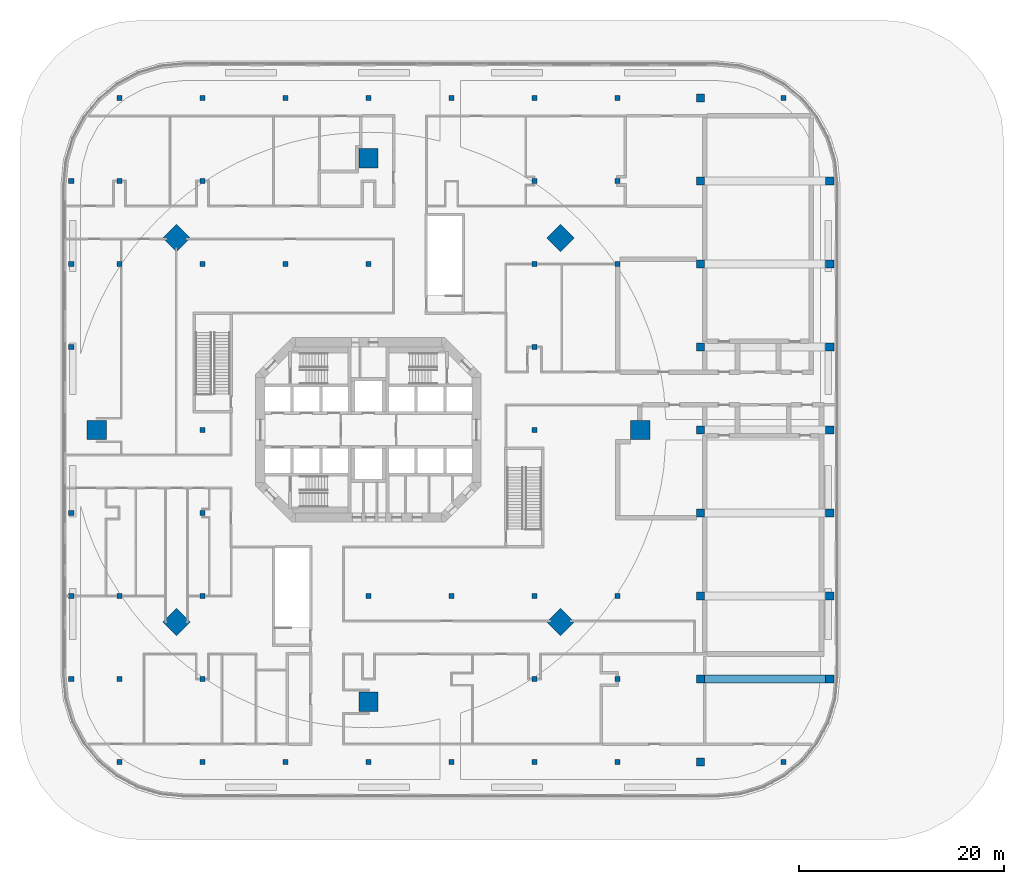
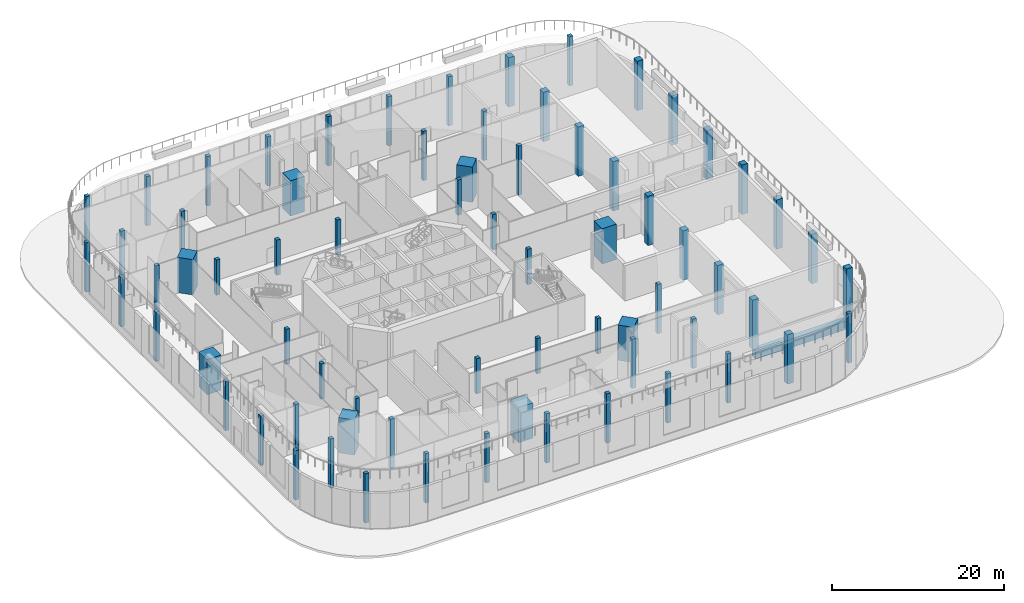
# One storey, part 1 of 17: 70 columns, 1 beam.
"""IFC4 building model written with IfcOpenShell, lengths in metres."""

import ifcopenshell
import ifcopenshell.guid

model = None  # the IFC model being written
_history = None  # IfcOwnerHistory: only IFC2X3 demands one
_inside = {}  # id of a spatial element -> (the spatial element, [elements in it])
_under = {}  # id of a project, library or spatial element -> (it, [spatial elements below it])
_declared = {}  # id of a project -> (the project, [libraries it declares])
_typed = {}  # id of a type object -> (the type object, [elements of that type])
_made_of = {}  # id of a material, layer set ... -> (it, [elements and type objects made of it])


def new_model(schema):
    """Start an empty IFC model of exactly this schema.

    Asked for "IFC4X3", IfcOpenShell would pick the latest addendum, in which some entities
    have other attributes; the version numbers below select the first issue.
    IFC2X3 requires an IfcOwnerHistory on every rooted entity: one is made here for all.
    """
    global model, _history
    if schema == "IFC4X3":
        model = ifcopenshell.file(schema_version=(4, 3, 0, 0))
    else:
        model = ifcopenshell.file(schema=schema)
    _inside.clear()
    _under.clear()
    _declared.clear()
    _typed.clear()
    _made_of.clear()
    _history = None
    if model.schema == "IFC2X3":
        org = make("IfcOrganization", Name="unknown")
        user = make(
            "IfcPersonAndOrganization",
            ThePerson=make("IfcPerson", FamilyName="unknown"),
            TheOrganization=org,
        )
        app = make(
            "IfcApplication",
            ApplicationDeveloper=org,
            Version="unknown",
            ApplicationFullName="unknown",
            ApplicationIdentifier="unknown",
        )
        _history = make(
            "IfcOwnerHistory",
            OwningUser=user,
            OwningApplication=app,
            ChangeAction="ADDED",
            CreationDate=0,
        )
    return model


def make(cls, **values):
    """One entity of the class cls with the attributes given. An attribute that is None is left unset."""
    return model.create_entity(
        cls, **{name: value for name, value in values.items() if value is not None}
    )


def rooted(cls, **values):
    """An entity with a GlobalId (a new one), such as an element, a storey or a relation."""
    return make(cls, GlobalId=ifcopenshell.guid.new(), OwnerHistory=_history, **values)


def si_unit(unit_type, name, prefix=None):
    """IfcSIUnit, for example si_unit("LENGTHUNIT", "METRE", prefix="MILLI")."""
    return make("IfcSIUnit", UnitType=unit_type, Prefix=prefix, Name=name)


def assignment(units):
    """IfcUnitAssignment: the units of a project."""
    return None if units is None else make("IfcUnitAssignment", Units=units)


def point(xyz):
    """IfcCartesianPoint."""
    return None if xyz is None else make("IfcCartesianPoint", Coordinates=xyz)


def direction(xyz):
    """IfcDirection."""
    return None if xyz is None else make("IfcDirection", DirectionRatios=xyz)


def frame(location, z_axis=None, x_axis=None):
    """IfcAxis2Placement3D, a coordinate frame: its origin and axes. An axis left out is left unset."""
    return make(
        "IfcAxis2Placement3D",
        Location=point(location),
        Axis=direction(z_axis),
        RefDirection=direction(x_axis),
    )


def frame_2d(location, x_axis=None):
    """IfcAxis2Placement2D, a coordinate frame in the plane: its origin and x axis."""
    return make(
        "IfcAxis2Placement2D", Location=point(location), RefDirection=direction(x_axis)
    )


def origin():
    """The frame at (0, 0, 0) with its axes left unset."""
    return frame((0.0, 0.0, 0.0))


def origin_2d():
    """The frame at (0, 0) in the plane with its x axis left unset."""
    return frame_2d((0.0, 0.0))


def place(relative_to, where):
    """IfcLocalPlacement: puts the frame where relative to a parent placement (None: the world)."""
    return make(
        "IfcLocalPlacement", PlacementRelTo=relative_to, RelativePlacement=where
    )


def context(
    kind, dimensions, precision=None, world=None, true_north=None, identifier=None
):
    """IfcGeometricRepresentationContext, for example the 3D "Model" context."""
    return make(
        "IfcGeometricRepresentationContext",
        ContextIdentifier=identifier,
        ContextType=kind,
        CoordinateSpaceDimension=dimensions,
        Precision=precision,
        WorldCoordinateSystem=world,
        TrueNorth=true_north,
    )


def subcontext(parent, identifier, kind, view, scale=None):
    """IfcGeometricRepresentationSubContext, for example "Body" below "Model"."""
    return make(
        "IfcGeometricRepresentationSubContext",
        ContextIdentifier=identifier,
        ContextType=kind,
        ParentContext=parent,
        TargetScale=scale,
        TargetView=view,
    )


def project(units=None, contexts=None):
    """IfcProject with its units and contexts."""
    return rooted(
        "IfcProject",
        Name="project",
        RepresentationContexts=contexts,
        UnitsInContext=assignment(units),
    )


def spatial(cls, under=None, at=None, **own):
    """A site, building, storey or space (cls), placed at a placement, below another one or the project."""
    s = rooted(cls, ObjectPlacement=at, **own)
    if under is not None:
        _under.setdefault(under.id(), (under, []))[1].append(s)
    return s


def profile(cls, at=None, kind="AREA", **sizes):
    """A parametric profile (cls). Its sizes go by their IFC names, for example OverallWidth=200.0."""
    return make(cls, ProfileType=kind, Position=at, **sizes)


def rectangle(**sizes):
    """IfcRectangleProfileDef."""
    return profile("IfcRectangleProfileDef", **sizes)


def extrude(swept, where, along, depth):
    """IfcExtrudedAreaSolid: the profile swept, set in the frame where, extruded along a direction by depth."""
    return make(
        "IfcExtrudedAreaSolid",
        SweptArea=swept,
        Position=where,
        ExtrudedDirection=direction(along),
        Depth=depth,
    )


def shape(context_of_items, identifier, shape_type, items):
    """IfcShapeRepresentation: the items that make up one representation, for example the "Body"."""
    return make(
        "IfcShapeRepresentation",
        ContextOfItems=context_of_items,
        RepresentationIdentifier=identifier,
        RepresentationType=shape_type,
        Items=items,
    )


def material(Name=None, Category=None):
    """IfcMaterial."""
    return make("IfcMaterial", Name=Name, Category=Category)


def material_profile(
    of_material, cross_section, Name=None, Category=None, Priority=None
):
    """IfcMaterialProfile: a cross section and its material."""
    return make(
        "IfcMaterialProfile",
        Name=Name,
        Material=of_material,
        Profile=cross_section,
        Priority=Priority,
        Category=Category,
    )


def profile_set(profiles, Name=None, composite=None):
    """IfcMaterialProfileSet."""
    return make(
        "IfcMaterialProfileSet",
        Name=Name,
        MaterialProfiles=profiles,
        CompositeProfile=composite,
    )


def made_of(thing, what):
    """Note that an element or type object is made of a material, layer set ...; save() writes the relation."""
    if what is not None:
        _made_of.setdefault(what.id(), (what, []))[1].append(thing)
    return thing


def type_object(cls, material=None, **own):
    """A type object (cls), such as IfcWallType, which elements share."""
    return made_of(rooted(cls, **own), material)


def element(
    cls,
    number,
    at=None,
    inside=None,
    cuts=None,
    type_object=None,
    material=None,
    context=None,
    identifier="Body",
    shape_type=None,
    held_by="IfcProductDefinitionShape",
    body=None,
    shapes=None,
    **own,
):
    """One element of the class cls, such as IfcWall. Its Tag is "e" and its number.

    at: its placement. inside: the storey or other place that contains it. cuts: it is an
    opening in that element (IfcRelVoidsElement). A single representation is given by context,
    identifier, shape_type and body (its items); several are given by shapes. held_by: the class
    of the entity that holds the representations. save() writes the other relations.
    """
    e = rooted(cls, Tag="e%d" % number, ObjectPlacement=at, **own)
    if body is not None:
        shapes = [shape(context, identifier, shape_type, body)]
    if shapes is not None:
        e.Representation = make(held_by, Representations=shapes)
    if inside is not None:
        _inside.setdefault(inside.id(), (inside, []))[1].append(e)
    if cuts is not None:
        rooted(
            "IfcRelVoidsElement", RelatingBuildingElement=cuts, RelatedOpeningElement=e
        )
    if type_object is not None:
        _typed.setdefault(type_object.id(), (type_object, []))[1].append(e)
    return made_of(e, material)


def aggregate(whole, parts):
    """IfcRelAggregates: a whole, such as a stair, and the parts it consists of."""
    return rooted("IfcRelAggregates", RelatingObject=whole, RelatedObjects=parts)


def save(model, path):
    """Write the relations noted so far, then the file.

    IfcRelAggregates (storeys below a building ...), IfcRelContainedInSpatialStructure (elements
    in a storey), IfcRelDefinesByType, IfcRelAssociatesMaterial and IfcRelDeclares: one each for
    every whole, place, type object, material and project.
    """
    for whole, parts in _under.values():
        aggregate(whole, parts)
    for where, things in _inside.values():
        rooted(
            "IfcRelContainedInSpatialStructure",
            RelatedElements=things,
            RelatingStructure=where,
        )
    for kind, things in _typed.values():
        rooted("IfcRelDefinesByType", RelatedObjects=things, RelatingType=kind)
    for what, things in _made_of.values():
        rooted("IfcRelAssociatesMaterial", RelatedObjects=things, RelatingMaterial=what)
    for by, libraries in _declared.values():
        rooted("IfcRelDeclares", RelatingContext=by, RelatedDefinitions=libraries)
    model.write(path)


model = new_model("IFC4")

# Units and contexts
model_context = context("Model", 3, precision=1e-05, world=origin(), true_north=direction((0.0, 1.0)))
body_context = subcontext(model_context, "Body", "Model", "MODEL_VIEW")
ifc_project = project(units=[si_unit("LENGTHUNIT", "METRE"), si_unit("AREAUNIT", "SQUARE_METRE"), si_unit("VOLUMEUNIT", "CUBIC_METRE"), si_unit("PLANEANGLEUNIT", "RADIAN"), si_unit("MASSUNIT", "GRAM", prefix="KILO")], contexts=[model_context])

# Site, building, storey
site_placement = place(None, origin())
site = spatial("IfcSite", under=ifc_project, at=site_placement, CompositionType="ELEMENT")
building_placement = place(site_placement, origin())
building = spatial("IfcBuilding", under=site, at=building_placement, Name="Torre Triforio", CompositionType="ELEMENT")
storey_placement = place(building_placement, frame((0.0, 0.0, 13.0)))
storey = spatial("IfcBuildingStorey", under=building, at=storey_placement, Name="L02", CompositionType="ELEMENT", Elevation=13.0)

# Columns
ifc_material_1 = material(Name="Concrete C50", Category="concrete")
ifc_material_profile_1 = material_profile(ifc_material_1, rectangle(XDim=0.5, YDim=0.5, at=origin_2d()), Name="RC 500x500")
ifc_profile_set_1 = profile_set([ifc_material_profile_1], Name="Concrete C50")
column_type_1 = type_object("IfcColumnType", Name="Column RC 500x500 C50", PredefinedType="COLUMN", material=ifc_profile_set_1)
for number, where, z_axis, x_axis, name in (
    (1, (-24.300048828125, -32.39990234375, 0.0), (0.0, 0.0, 1.0), (1.0, 0.0, 0.0), "COL.G.L02.3-D"),
    (2, (-24.300048828125, -24.300048828125, 0.0), (0.0, 0.0, 1.0), (1.0, 0.0, 0.0), "COL.G.L02.3-E"),
    (3, (-24.300048828125, -16.199951171875, 0.0), (0.0, 0.0, 1.0), (1.0, 0.0, 0.0), "COL.G.L02.3-F"),
    (4, (-24.300048828125, 16.199951171875, 0.0), (0.0, 0.0, 1.0), (1.0, 0.0, 0.0), "COL.G.L02.3-J"),
    (5, (-24.300048828125, 24.300048828125, 0.0), (0.0, 0.0, 1.0), (1.0, 0.0, 0.0), "COL.G.L02.3-K"),
    (6, (-24.300048828125, 32.39990234375, 0.0), (0.0, 0.0, 1.0), (1.0, 0.0, 0.0), "COL.G.L02.3-L"),
    (7, (-16.199951171875, -32.39990234375, 0.0), (0.0, 0.0, 1.0), (1.0, 0.0, 0.0), "COL.G.L02.4-D"),
    (8, (-16.199951171875, -24.300048828125, 0.0), (0.0, 0.0, 1.0), (1.0, 0.0, 0.0), "COL.G.L02.4-E"),
):
    element("IfcColumn", number, at=place(storey_placement, frame(where, z_axis=z_axis, x_axis=x_axis)), inside=storey, type_object=column_type_1, Name=name, PredefinedType="COLUMN", context=body_context, shape_type="SweptSolid", body=[
        extrude(rectangle(XDim=0.5, YDim=0.5, at=origin_2d()), origin(), (0.0, 0.0, 1.0), 7.0),
    ])
for number, where, z_axis, x_axis, name in (
    (9, (-16.199951171875, -16.199951171875, 0.0), (0.0, 0.0, 1.0), (1.0, 0.0, 0.0), "COL.G.L02.4-F"),
    (10, (-16.199951171875, -8.10009765625, 0.0), (0.0, 0.0, 1.0), (1.0, 0.0, 0.0), "COL.G.L02.4-G"),
    (11, (-16.199951171875, 0.0, 0.0), (0.0, 0.0, 1.0), (1.0, 0.0, 0.0), "COL.G.L02.4-H"),
    (12, (-16.199951171875, 16.199951171875, 0.0), (0.0, 0.0, 1.0), (1.0, 0.0, 0.0), "COL.G.L02.4-J"),
):
    element("IfcColumn", number, at=place(storey_placement, frame(where, z_axis=z_axis, x_axis=x_axis)), inside=storey, type_object=column_type_1, Name=name, PredefinedType="COLUMN", context=body_context, shape_type="SweptSolid", body=[
        extrude(rectangle(XDim=0.5, YDim=0.5, at=origin_2d()), origin(), (0.0, 0.0, 1.0), 5.0),
    ])
for number, where, z_axis, x_axis, name in (
    (13, (-16.199951171875, 24.300048828125, 0.0), (0.0, 0.0, 1.0), (1.0, 0.0, 0.0), "COL.G.L02.4-K"),
    (14, (-16.199951171875, 32.39990234375, 0.0), (0.0, 0.0, 1.0), (1.0, 0.0, 0.0), "COL.G.L02.4-L"),
    (15, (-8.10009765625, -32.39990234375, 0.0), (0.0, 0.0, 1.0), (1.0, 0.0, 0.0), "COL.G.L02.5-D"),
):
    element("IfcColumn", number, at=place(storey_placement, frame(where, z_axis=z_axis, x_axis=x_axis)), inside=storey, type_object=column_type_1, Name=name, PredefinedType="COLUMN", context=body_context, shape_type="SweptSolid", body=[
        extrude(rectangle(XDim=0.5, YDim=0.5, at=origin_2d()), origin(), (0.0, 0.0, 1.0), 7.0),
    ])
column_1_placement = place(storey_placement, frame((-8.10009765625, 16.199951171875, 0.0), z_axis=(0.0, 0.0, 1.0), x_axis=(1.0, 0.0, 0.0)))
element("IfcColumn", 16, at=column_1_placement, inside=storey, type_object=column_type_1, Name="COL.G.L02.5-J", PredefinedType="COLUMN", context=body_context, shape_type="SweptSolid", body=[
    extrude(rectangle(XDim=0.5, YDim=0.5, at=origin_2d()), origin(), (0.0, 0.0, 1.0), 5.0),
])
for number, where, z_axis, x_axis, name in (
    (17, (-8.10009765625, 32.39990234375, 0.0), (0.0, 0.0, 1.0), (1.0, 0.0, 0.0), "COL.G.L02.5-L"),
    (18, (0.0, -32.39990234375, 0.0), (0.0, 0.0, 1.0), (1.0, 0.0, 0.0), "COL.G.L02.6-D"),
):
    element("IfcColumn", number, at=place(storey_placement, frame(where, z_axis=z_axis, x_axis=x_axis)), inside=storey, type_object=column_type_1, Name=name, PredefinedType="COLUMN", context=body_context, shape_type="SweptSolid", body=[
        extrude(rectangle(XDim=0.5, YDim=0.5, at=origin_2d()), origin(), (0.0, 0.0, 1.0), 7.0),
    ])
for number, where, z_axis, x_axis, name in (
    (19, (0.0, -16.199951171875, 0.0), (0.0, 0.0, 1.0), (1.0, 0.0, 0.0), "COL.G.L02.6-F"),
    (20, (0.0, 16.199951171875, 0.0), (0.0, 0.0, 1.0), (1.0, 0.0, 0.0), "COL.G.L02.6-J"),
):
    element("IfcColumn", number, at=place(storey_placement, frame(where, z_axis=z_axis, x_axis=x_axis)), inside=storey, type_object=column_type_1, Name=name, PredefinedType="COLUMN", context=body_context, shape_type="SweptSolid", body=[
        extrude(rectangle(XDim=0.5, YDim=0.5, at=origin_2d()), origin(), (0.0, 0.0, 1.0), 5.0),
    ])
for number, where, z_axis, x_axis, name in (
    (21, (0.0, 32.39990234375, 0.0), (0.0, 0.0, 1.0), (1.0, 0.0, 0.0), "COL.G.L02.6-L"),
    (22, (8.10009765625, -32.39990234375, 0.0), (0.0, 0.0, 1.0), (1.0, 0.0, 0.0), "COL.G.L02.7-D"),
):
    element("IfcColumn", number, at=place(storey_placement, frame(where, z_axis=z_axis, x_axis=x_axis)), inside=storey, type_object=column_type_1, Name=name, PredefinedType="COLUMN", context=body_context, shape_type="SweptSolid", body=[
        extrude(rectangle(XDim=0.5, YDim=0.5, at=origin_2d()), origin(), (0.0, 0.0, 1.0), 7.0),
    ])
column_2_placement = place(storey_placement, frame((8.10009765625, -16.199951171875, 0.0), z_axis=(0.0, 0.0, 1.0), x_axis=(1.0, 0.0, 0.0)))
element("IfcColumn", 23, at=column_2_placement, inside=storey, type_object=column_type_1, Name="COL.G.L02.7-F", PredefinedType="COLUMN", context=body_context, shape_type="SweptSolid", body=[
    extrude(rectangle(XDim=0.5, YDim=0.5, at=origin_2d()), origin(), (0.0, 0.0, 1.0), 5.0),
])
for number, where, z_axis, x_axis, name in (
    (24, (8.10009765625, 32.39990234375, 0.0), (0.0, 0.0, 1.0), (1.0, 0.0, 0.0), "COL.G.L02.7-L"),
    (25, (16.199951171875, -32.39990234375, 0.0), (0.0, 0.0, 1.0), (1.0, 0.0, 0.0), "COL.G.L02.8-D"),
    (26, (16.199951171875, -24.300048828125, 0.0), (0.0, 0.0, 1.0), (1.0, 0.0, 0.0), "COL.G.L02.8-E"),
):
    element("IfcColumn", number, at=place(storey_placement, frame(where, z_axis=z_axis, x_axis=x_axis)), inside=storey, type_object=column_type_1, Name=name, PredefinedType="COLUMN", context=body_context, shape_type="SweptSolid", body=[
        extrude(rectangle(XDim=0.5, YDim=0.5, at=origin_2d()), origin(), (0.0, 0.0, 1.0), 7.0),
    ])
for number, where, z_axis, x_axis, name in (
    (27, (16.199951171875, -16.199951171875, 0.0), (0.0, 0.0, 1.0), (1.0, 0.0, 0.0), "COL.G.L02.8-F"),
    (28, (16.199951171875, 0.0, 0.0), (0.0, 0.0, 1.0), (1.0, 0.0, 0.0), "COL.G.L02.8-H"),
    (29, (16.199951171875, 8.10009765625, 0.0), (0.0, 0.0, 1.0), (1.0, 0.0, 0.0), "COL.G.L02.8-I"),
    (30, (16.199951171875, 16.199951171875, 0.0), (0.0, 0.0, 1.0), (1.0, 0.0, 0.0), "COL.G.L02.8-J"),
):
    element("IfcColumn", number, at=place(storey_placement, frame(where, z_axis=z_axis, x_axis=x_axis)), inside=storey, type_object=column_type_1, Name=name, PredefinedType="COLUMN", context=body_context, shape_type="SweptSolid", body=[
        extrude(rectangle(XDim=0.5, YDim=0.5, at=origin_2d()), origin(), (0.0, 0.0, 1.0), 5.0),
    ])
for number, where, z_axis, x_axis, name in (
    (31, (16.199951171875, 24.300048828125, 0.0), (0.0, 0.0, 1.0), (1.0, 0.0, 0.0), "COL.G.L02.8-K"),
    (32, (16.199951171875, 32.39990234375, 0.0), (0.0, 0.0, 1.0), (1.0, 0.0, 0.0), "COL.G.L02.8-L"),
    (33, (24.300048828125, -32.39990234375, 0.0), (0.0, 0.0, 1.0), (1.0, 0.0, 0.0), "COL.G.L02.9-D"),
    (34, (24.300048828125, -24.300048828125, 0.0), (0.0, 0.0, 1.0), (1.0, 0.0, 0.0), "COL.G.L02.9-E"),
    (35, (24.300048828125, -16.199951171875, 0.0), (0.0, 0.0, 1.0), (1.0, 0.0, 0.0), "COL.G.L02.9-F"),
    (36, (24.300048828125, 16.199951171875, 0.0), (0.0, 0.0, 1.0), (1.0, 0.0, 0.0), "COL.G.L02.9-J"),
    (37, (24.300048828125, 24.300048828125, 0.0), (0.0, 0.0, 1.0), (1.0, 0.0, 0.0), "COL.G.L02.9-K"),
    (38, (24.300048828125, 32.39990234375, 0.0), (0.0, 0.0, 1.0), (1.0, 0.0, 0.0), "COL.G.L02.9-L"),
    (39, (40.5, -32.39990234375, 0.0), (0.0, 0.0, 1.0), (1.0, 0.0, 0.0), "COL.G.L02.11-D"),
    (40, (40.5, 32.39990234375, 0.0), (0.0, 0.0, 1.0), (1.0, 0.0, 0.0), "COL.G.L02.11-L"),
    (41, (-29.0, 24.300048828125, 0.0), (0.0, 0.0, 1.0), (1.0, 0.0, 0.0), "COL.E.L02.ED-01"),
    (42, (-29.0, 16.199951171875, 0.0), (0.0, 0.0, 1.0), (1.0, 0.0, 0.0), "COL.E.L02.ED-02"),
    (43, (-29.0, -24.300048828125, 0.0), (0.0, 0.0, 1.0), (1.0, 0.0, 0.0), "COL.E.L02.ED-03"),
    (44, (-29.0, -16.199951171875, 0.0), (0.0, 0.0, 1.0), (1.0, 0.0, 0.0), "COL.E.L02.ED-04"),
    (45, (-29.0, 8.10009765625, 0.0), (0.0, 0.0, 1.0), (1.0, 0.0, 0.0), "COL.E.L02.ED-05"),
    (46, (-29.0, -8.10009765625, 0.0), (0.0, 0.0, 1.0), (1.0, 0.0, 0.0), "COL.E.L02.ED-06"),
):
    element("IfcColumn", number, at=place(storey_placement, frame(where, z_axis=z_axis, x_axis=x_axis)), inside=storey, type_object=column_type_1, Name=name, PredefinedType="COLUMN", context=body_context, shape_type="SweptSolid", body=[
        extrude(rectangle(XDim=0.5, YDim=0.5, at=origin_2d()), origin(), (0.0, 0.0, 1.0), 7.0),
    ])
ifc_material_profile_2 = material_profile(ifc_material_1, rectangle(XDim=0.800048828125, YDim=0.800048828125, at=origin_2d()), Name="RC 800x800")
ifc_profile_set_2 = profile_set([ifc_material_profile_2], Name="Concrete C50")
column_type_2 = type_object("IfcColumnType", Name="Column RC 800x800 C50", PredefinedType="COLUMN", material=ifc_profile_set_2)
for number, where, z_axis, x_axis, name in (
    (47, (32.39990234375, -32.39990234375, 0.0), (0.0, 0.0, 1.0), (1.0, 0.0, 0.0), "COL.G.L02.10-D"),
    (48, (32.39990234375, -24.300048828125, 0.0), (0.0, 0.0, 1.0), (1.0, 0.0, 0.0), "COL.G.L02.10-E"),
    (49, (32.39990234375, -16.199951171875, 0.0), (0.0, 0.0, 1.0), (1.0, 0.0, 0.0), "COL.G.L02.10-F"),
    (50, (32.39990234375, -8.10009765625, 0.0), (0.0, 0.0, 1.0), (1.0, 0.0, 0.0), "COL.G.L02.10-G"),
    (51, (32.39990234375, 0.0, 0.0), (0.0, 0.0, 1.0), (1.0, 0.0, 0.0), "COL.G.L02.10-H"),
    (52, (32.39990234375, 8.10009765625, 0.0), (0.0, 0.0, 1.0), (1.0, 0.0, 0.0), "COL.G.L02.10-I"),
    (53, (32.39990234375, 16.199951171875, 0.0), (0.0, 0.0, 1.0), (1.0, 0.0, 0.0), "COL.G.L02.10-J"),
    (54, (32.39990234375, 24.300048828125, 0.0), (0.0, 0.0, 1.0), (1.0, 0.0, 0.0), "COL.G.L02.10-K"),
    (55, (32.39990234375, 32.39990234375, 0.0), (0.0, 0.0, 1.0), (1.0, 0.0, 0.0), "COL.G.L02.10-L"),
    (56, (45.0, -24.300048828125, 0.0), (0.0, 0.0, 1.0), (1.0, 0.0, 0.0), "COL.E.L02.EL-E"),
    (57, (45.0, -16.199951171875, 0.0), (0.0, 0.0, 1.0), (1.0, 0.0, 0.0), "COL.E.L02.EL-F"),
    (58, (45.0, -8.10009765625, 0.0), (0.0, 0.0, 1.0), (1.0, 0.0, 0.0), "COL.E.L02.EL-G"),
    (59, (45.0, 0.0, 0.0), (0.0, 0.0, 1.0), (1.0, 0.0, 0.0), "COL.E.L02.EL-H"),
    (60, (45.0, 8.10009765625, 0.0), (0.0, 0.0, 1.0), (1.0, 0.0, 0.0), "COL.E.L02.EL-I"),
    (61, (45.0, 16.199951171875, 0.0), (0.0, 0.0, 1.0), (1.0, 0.0, 0.0), "COL.E.L02.EL-J"),
    (62, (45.0, 24.300048828125, 0.0), (0.0, 0.0, 1.0), (1.0, 0.0, 0.0), "COL.E.L02.EL-K"),
):
    element("IfcColumn", number, at=place(storey_placement, frame(where, z_axis=z_axis, x_axis=x_axis)), inside=storey, type_object=column_type_2, Name=name, PredefinedType="COLUMN", context=body_context, shape_type="SweptSolid", body=[
        extrude(rectangle(XDim=0.800048828125, YDim=0.800048828125, at=origin_2d()), origin(), (0.0, 0.0, 1.0), 7.0),
    ])
ifc_material_2 = material(Name="Concrete C70", Category="concrete")
ifc_material_profile_3 = material_profile(ifc_material_2, rectangle(XDim=1.89990234375, YDim=1.89990234375, at=origin_2d()), Name="RC 1900x1900")
ifc_profile_set_3 = profile_set([ifc_material_profile_3], Name="Concrete C70")
column_type_3 = type_object("IfcColumnType", Name="Mega column RC 1900x1900 C70", PredefinedType="COLUMN", material=ifc_profile_set_3)
for number, where, z_axis, x_axis, name in (
    (63, (26.5, 0.0, 0.0), (0.0, 0.0, 1.0), (0.0, 1.0, 0.0), "COL.R.L02.00"),
    (64, (18.73828125, 18.73828125, 0.0), (0.0, 0.0, 1.0), (-0.707106781187, 0.707106781187, 0.0), "COL.R.L02.03"),
    (65, (0.0, 26.5, 0.0), (0.0, 0.0, 1.0), (-1.0, 0.0, 0.0), "COL.R.L02.06"),
    (66, (-18.73828125, 18.73828125, 0.0), (0.0, 0.0, 1.0), (-0.707106781187, -0.707106781187, 0.0), "COL.R.L02.09"),
    (67, (-26.5, 0.0, 0.0), (0.0, 0.0, 1.0), (0.0, -1.0, 0.0), "COL.R.L02.12"),
    (68, (-18.73828125, -18.73828125, 0.0), (0.0, 0.0, 1.0), (0.707106781187, -0.707106781187, 0.0), "COL.R.L02.15"),
    (69, (0.0, -26.5, 0.0), (0.0, 0.0, 1.0), (1.0, 0.0, 0.0), "COL.R.L02.18"),
    (70, (18.73828125, -18.73828125, 0.0), (0.0, 0.0, 1.0), (0.707106781187, 0.707106781187, 0.0), "COL.R.L02.21"),
):
    element("IfcColumn", number, at=place(storey_placement, frame(where, z_axis=z_axis, x_axis=x_axis)), inside=storey, type_object=column_type_3, Name=name, PredefinedType="COLUMN", context=body_context, shape_type="SweptSolid", body=[
        extrude(rectangle(XDim=1.89990234375, YDim=1.89990234375, at=origin_2d()), origin(), (0.0, 0.0, 1.0), 5.0),
    ])

# Beam
ifc_material_profile_4 = material_profile(ifc_material_1, rectangle(XDim=0.800048828125, YDim=1.199951171875, at=origin_2d()), Name="RC 800x1200")
ifc_profile_set_4 = profile_set([ifc_material_profile_4], Name="Concrete C50")
beam_type = type_object("IfcBeamType", Name="Studio floor girder RC 800x1200 C50", PredefinedType="BEAM", material=ifc_profile_set_4)
beam_placement = place(storey_placement, frame((32.39990234375, -24.300048828125, -0.919921875), z_axis=(1.0, 0.0, 0.0), x_axis=(0.0, 1.0, 0.0)))
element("IfcBeam", 71, at=beam_placement, inside=storey, type_object=beam_type, Name="BM.SG.L02.01", PredefinedType="BEAM", context=body_context, shape_type="SweptSolid", body=[
    extrude(rectangle(XDim=0.800048828125, YDim=1.199951171875, at=origin_2d()), origin(), (0.0, 0.0, 1.0), 12.60009765625),
])

save(model, "model.ifc")
